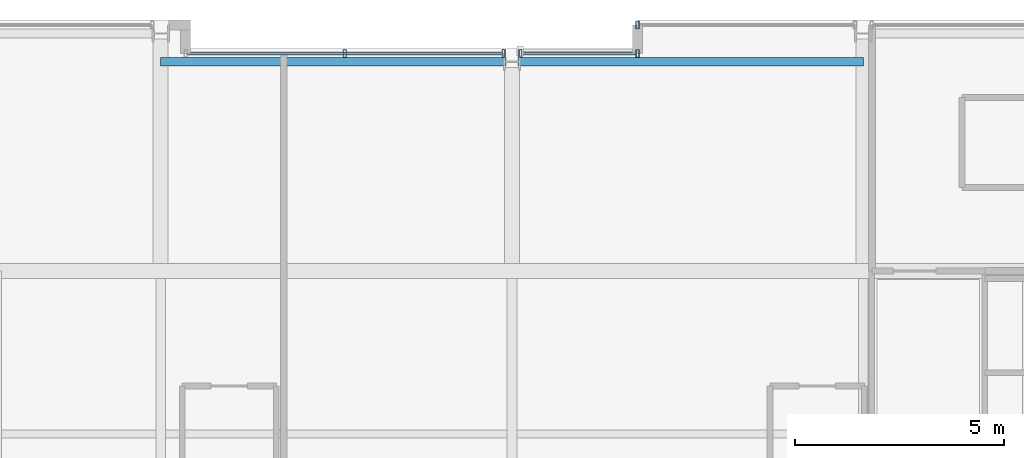
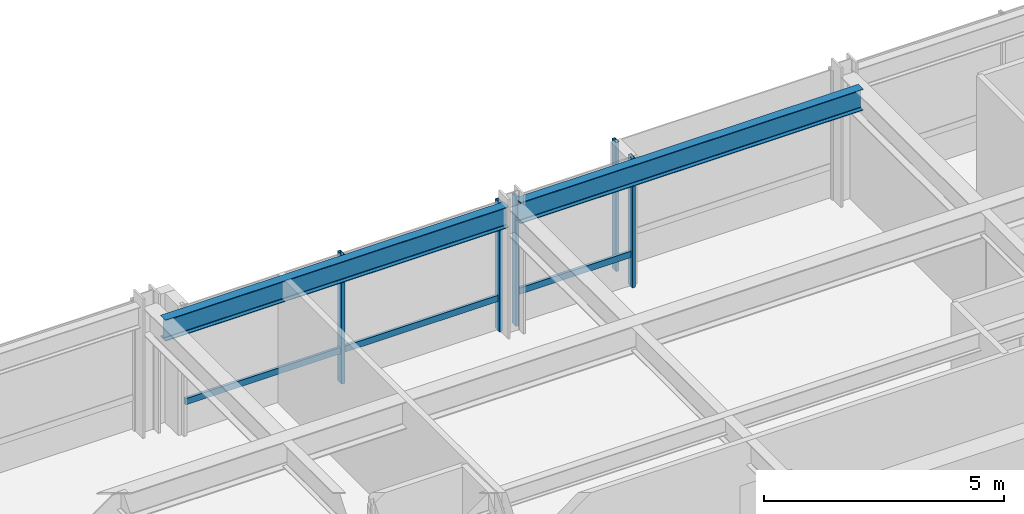
# One storey, part 22 of 33: 7 members, 2 beams, 3 elements without a shape of their own.
"""IFC4 building model written with IfcOpenShell, lengths in metres."""

from ifc_helpers import new_model, si_unit, direction, frame, origin, origin_2d, place, context, subcontext, project, spatial, hollow_rectangle, i_section, extrude, material, layer, layer_set, material_profile, profile_set, type_object, element, aggregate, save


model = new_model("IFC4")

# Units and contexts
model_context = context("Model", 3, precision=1e-05, world=origin(), true_north=direction((0.0, 1.0)))
body_context = subcontext(model_context, "Body", "Model", "MODEL_VIEW")
ifc_project = project(units=[si_unit("LENGTHUNIT", "METRE"), si_unit("AREAUNIT", "SQUARE_METRE"), si_unit("VOLUMEUNIT", "CUBIC_METRE"), si_unit("PLANEANGLEUNIT", "RADIAN"), si_unit("MASSUNIT", "GRAM", prefix="KILO")], contexts=[model_context])

# Site, building, storey
site_placement = place(None, origin())
site = spatial("IfcSite", under=ifc_project, at=site_placement, CompositionType="ELEMENT")
building_placement = place(site_placement, origin())
building = spatial("IfcBuilding", under=site, at=building_placement, Name="Drelvath Grand Hotel", CompositionType="ELEMENT")
storey_placement = place(building_placement, frame((0.0, 0.0, 161.050048828125)))
storey = spatial("IfcBuildingStorey", under=building, at=storey_placement, Name="L41", CompositionType="ELEMENT", Elevation=161.050048828125)

# Curtain wall, member
ifc_material_1 = material(Name="Brushed Pale-Silver Anodised Aluminium Frame", Category="aluminium")
ifc_layer = layer(ifc_material_1, 0.199951171875)
ifc_layer_set = layer_set([ifc_layer], Name="Brushed Pale-Silver Anodised Aluminium Frame")
curtain_wall_type = type_object("IfcCurtainWallType", Name="Stick Curtain Wall CW-04 Brushed Silver Upper-Mid", PredefinedType="NOTDEFINED", material=ifc_layer_set)
curtain_wall_1_placement = place(storey_placement, origin())
curtain_wall_1 = element("IfcCurtainWall", 1, at=curtain_wall_1_placement, inside=storey, type_object=curtain_wall_type, Name="L41 CW-04 Curtain Wall CW04-L41-NM1", PredefinedType="NOTDEFINED")
ifc_material_profile_1 = material_profile(ifc_material_1, hollow_rectangle(XDim=0.06494140625, YDim=0.159912109375, WallThickness=0.00390625, at=origin_2d()), Name="HSS160X65X4")
ifc_profile_set_1 = profile_set([ifc_material_profile_1], Name="Brushed Pale-Silver Anodised Aluminium Frame")
member_type_1 = type_object("IfcMemberType", Name="Curtain Wall Horizontal Transom CW-04 HSS160X65X4", PredefinedType="USERDEFINED", material=ifc_profile_set_1)
member_1_placement = place(storey_placement, frame((-7.760009765625, 48.39990234375, 0.822509765625), z_axis=(1.0, 0.0, 0.0), x_axis=(0.0, 1.0, 0.0)))
member_1 = element("IfcMember", 2, at=member_1_placement, type_object=member_type_1, Name="CW04-L41-NM1 Sill Transom", ObjectType="TRANSOM", PredefinedType="USERDEFINED", context=body_context, shape_type="SweptSolid", body=[
    extrude(hollow_rectangle(XDim=0.06494140625, YDim=0.159912109375, WallThickness=0.00390625, at=origin_2d()), origin(), (0.0, 0.0, 1.0), 7.52001953125),
])

curtain_wall_2_placement = place(storey_placement, origin())
curtain_wall_2 = element("IfcCurtainWall", 3, at=curtain_wall_2_placement, inside=storey, type_object=curtain_wall_type, Name="L41 CW-04 Curtain Wall CW04-L41-NM2", PredefinedType="NOTDEFINED")
member_2_placement = place(storey_placement, frame((0.239990234375, 48.39990234375, 0.822509765625), z_axis=(1.0, 0.0, 0.0), x_axis=(0.0, 1.0, 0.0)))
member_2 = element("IfcMember", 4, at=member_2_placement, type_object=member_type_1, Name="CW04-L41-NM2 Sill Transom", ObjectType="TRANSOM", PredefinedType="USERDEFINED", context=body_context, shape_type="SweptSolid", body=[
    extrude(hollow_rectangle(XDim=0.06494140625, YDim=0.159912109375, WallThickness=0.00390625, at=origin_2d()), origin(), (0.0, 0.0, 1.0), 2.719970703125),
])

# Member
ifc_material_profile_2 = material_profile(ifc_material_1, hollow_rectangle(XDim=0.074951171875, YDim=0.179931640625, WallThickness=0.0048828125, at=origin_2d()), Name="HSS180X75X5")
ifc_profile_set_2 = profile_set([ifc_material_profile_2], Name="Brushed Pale-Silver Anodised Aluminium Frame")
member_type_2 = type_object("IfcMemberType", Name="Curtain Wall Vertical Mullion CW-04 HSS180X75X5", PredefinedType="MULLION", material=ifc_profile_set_2)
member_3_placement = place(storey_placement, frame((-4.0, 48.39990234375, 0.0), z_axis=(0.0, 0.0, 1.0), x_axis=(1.0, 0.0, 0.0)))
member_3 = element("IfcMember", 5, at=member_3_placement, type_object=member_type_2, Name="CW04-L41-NM1 Mullion 2", PredefinedType="MULLION", context=body_context, shape_type="SweptSolid", body=[
    extrude(hollow_rectangle(XDim=0.074951171875, YDim=0.179931640625, WallThickness=0.0048828125, at=origin_2d()), origin(), (0.0, 0.0, 1.0), 3.2900390625),
])

member_4_placement = place(storey_placement, frame((-0.2001953125, 48.39990234375, 0.0), z_axis=(0.0, 0.0, 1.0), x_axis=(1.0, 0.0, 0.0)))
member_4 = element("IfcMember", 6, at=member_4_placement, type_object=member_type_2, Name="CW04-L41-NM1 Mullion 3", PredefinedType="MULLION", context=body_context, shape_type="SweptSolid", body=[
    extrude(hollow_rectangle(XDim=0.074951171875, YDim=0.179931640625, WallThickness=0.0048828125, at=origin_2d()), origin(), (0.0, 0.0, 1.0), 3.2900390625),
])

aggregate(curtain_wall_1, [member_3, member_4, member_1])

member_5_placement = place(storey_placement, frame((0.2001953125, 48.39990234375, 0.0), z_axis=(0.0, 0.0, 1.0), x_axis=(1.0, 0.0, 0.0)))
member_5 = element("IfcMember", 7, at=member_5_placement, type_object=member_type_2, Name="CW04-L41-NM2 Mullion 1", PredefinedType="MULLION", context=body_context, shape_type="SweptSolid", body=[
    extrude(hollow_rectangle(XDim=0.074951171875, YDim=0.179931640625, WallThickness=0.0048828125, at=origin_2d()), origin(), (0.0, 0.0, 1.0), 3.2900390625),
])

member_6_placement = place(storey_placement, frame((3.0, 48.39990234375, 0.0), z_axis=(0.0, 0.0, 1.0), x_axis=(1.0, 0.0, 0.0)))
member_6 = element("IfcMember", 8, at=member_6_placement, type_object=member_type_2, Name="CW04-L41-NM2 Mullion 2", PredefinedType="MULLION", context=body_context, shape_type="SweptSolid", body=[
    extrude(hollow_rectangle(XDim=0.074951171875, YDim=0.179931640625, WallThickness=0.0048828125, at=origin_2d()), origin(), (0.0, 0.0, 1.0), 3.2900390625),
])

aggregate(curtain_wall_2, [member_5, member_6, member_2])

# Curtain wall, member
curtain_wall_3_placement = place(storey_placement, origin())
curtain_wall_3 = element("IfcCurtainWall", 9, at=curtain_wall_3_placement, inside=storey, type_object=curtain_wall_type, Name="L41 CW-04 Curtain Wall CW04-L41-NE1", PredefinedType="NOTDEFINED")
member_7_placement = place(storey_placement, frame((3.0, 49.080078125, 0.0), z_axis=(0.0, 0.0, 1.0), x_axis=(1.0, 0.0, 0.0)))
member_7 = element("IfcMember", 10, at=member_7_placement, type_object=member_type_2, Name="CW04-L41-NE1 Mullion 1", PredefinedType="MULLION", context=body_context, shape_type="SweptSolid", body=[
    extrude(hollow_rectangle(XDim=0.074951171875, YDim=0.179931640625, WallThickness=0.0048828125, at=origin_2d()), origin(), (0.0, 0.0, 1.0), 3.2900390625),
])
aggregate(curtain_wall_3, [member_7])

# Beams
ifc_material_2 = material(Name="Steel ASTM A992 Gr 50", Category="steel")
ifc_material_profile_3 = material_profile(ifc_material_2, i_section(OverallWidth=0.210205078125, OverallDepth=0.53662109375, WebThickness=0.010986328125, FlangeThickness=0.017333984375, FilletRadius=0.01806640625, at=origin_2d()), Name="W21X68")
ifc_profile_set_3 = profile_set([ifc_material_profile_3], Name="Steel ASTM A992 Gr 50")
beam_type = type_object("IfcBeamType", Name="Perimeter Spandrel Beam W21X68", PredefinedType="SPANDREL", material=ifc_profile_set_3)
for number, where, z_axis, x_axis, name in (
    (11, (-8.39990234375, 48.199951171875, 3.021728515625), (1.0, 0.0, 0.0), (0.0, 1.0, 0.0), "L41 Spandrel North Mid W"),
    (12, (0.139892578125, 48.199951171875, 3.021728515625), (1.0, 0.0, 0.0), (0.0, 1.0, 0.0), "L41 Spandrel North Mid E"),
):
    element("IfcBeam", number, at=place(storey_placement, frame(where, z_axis=z_axis, x_axis=x_axis)), inside=storey, type_object=beam_type, Name=name, PredefinedType="SPANDREL", context=body_context, shape_type="SweptSolid", body=[
        extrude(i_section(OverallWidth=0.210205078125, OverallDepth=0.53662109375, WebThickness=0.010986328125, FlangeThickness=0.017333984375, FilletRadius=0.01806640625, at=origin_2d()), origin(), (0.0, 0.0, 1.0), 8.260009765625),
    ])

save(model, "model.ifc")
